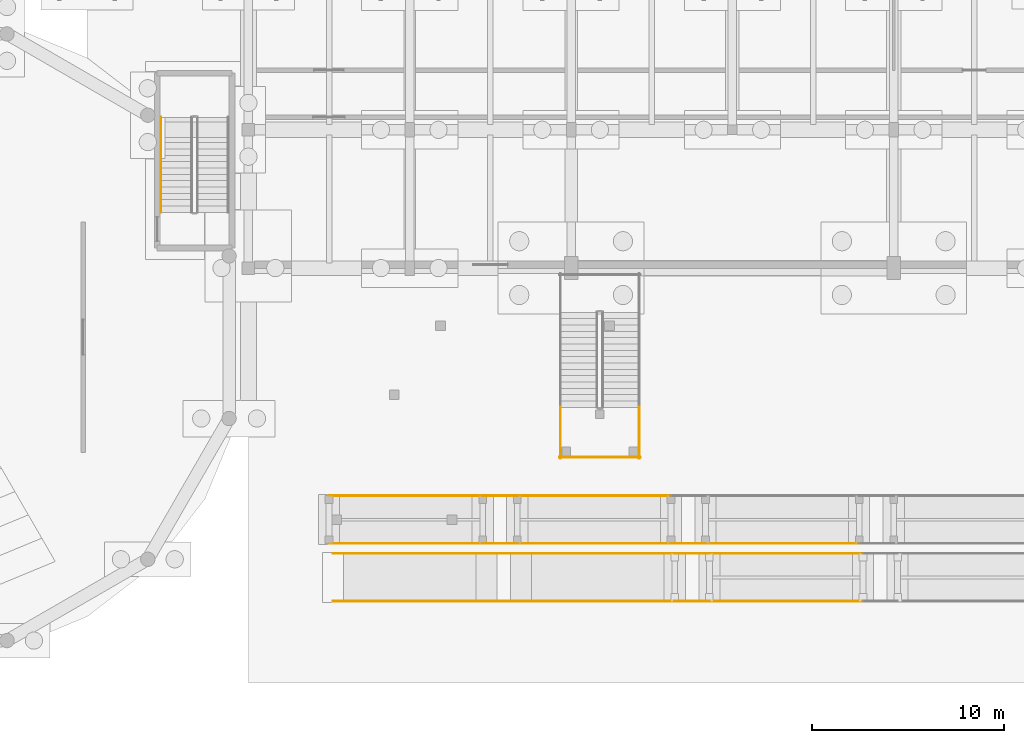
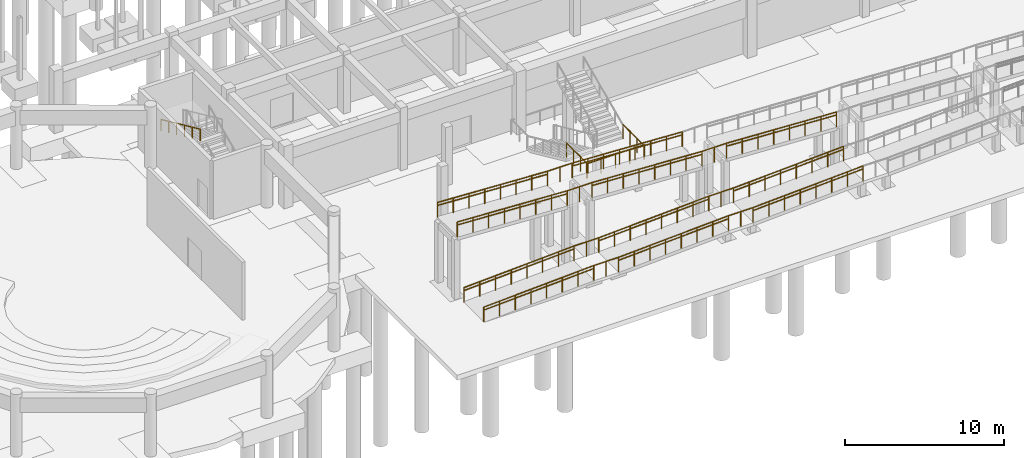
# One storey, part 67 of 80: 33 railings.
"""IFC4 building model written with IfcOpenShell, lengths in metres."""

from ifc_helpers import new_model, si_unit, direction, frame, origin, origin_2d, place, context, subcontext, project, spatial, circle, extrude, material, layer, layer_set, type_object, element, save


model = new_model("IFC4")

# Units and contexts
model_context = context("Model", 3, precision=1e-05, world=origin(), true_north=direction((0.0, 1.0)))
body_context = subcontext(model_context, "Body", "Model", "MODEL_VIEW")
ifc_project = project(units=[si_unit("LENGTHUNIT", "METRE"), si_unit("AREAUNIT", "SQUARE_METRE"), si_unit("VOLUMEUNIT", "CUBIC_METRE"), si_unit("PLANEANGLEUNIT", "RADIAN"), si_unit("MASSUNIT", "GRAM", prefix="KILO")], contexts=[model_context])

# Site, building, storey
site_placement = place(None, origin())
site = spatial("IfcSite", under=ifc_project, at=site_placement, CompositionType="ELEMENT")
building_placement = place(site_placement, origin())
building = spatial("IfcBuilding", under=site, at=building_placement, Name="Malvenik Polytechnic", CompositionType="ELEMENT")
storey_placement = place(building_placement, frame((0.0, 0.0, -4.800048828125)))
storey = spatial("IfcBuildingStorey", under=building, at=storey_placement, Name="B1", CompositionType="ELEMENT", Elevation=-4.800048828125)

# Railings
ifc_material_1 = material(Name="Galvanised powder-coated steel and laminated glass guard 1150mm", Category="steel")
ifc_layer_1 = layer(ifc_material_1, 0.070068359375)
ifc_layer_set_1 = layer_set([ifc_layer_1], Name="Galvanised powder-coated steel and laminated glass guard 1150mm")
railing_type_1 = type_object("IfcRailingType", Name="ARC-RL-BAL-1150", PredefinedType="BALUSTRADE", material=ifc_layer_set_1)
for number, where, name in (
    (1, (38.0, 4.260009765625, 0.0), "Ramp Balustrade RB-04 #1S"),
    (2, (38.0, 6.739990234375, 0.0), "Ramp Balustrade RB-04 #1N"),
):
    element("IfcRailing", number, at=place(storey_placement, frame(where)), inside=storey, type_object=railing_type_1, Name=name, PredefinedType="BALUSTRADE", context=body_context, shape_type="SweptSolid", body=[
        extrude(circle(Radius=0.02392578125, at=origin_2d()), frame((0.0, 0.0, 1.1259765625), z_axis=(0.998751426607, 0.0, 0.049955859015), x_axis=(0.0, 1.0, 0.0)), (0.0, 0.0, 1.0), 8.010009765625),
        extrude(circle(Radius=0.02099609375, at=origin_2d()), origin(), (0.0, 0.0, 1.0), 1.101806640625),
        extrude(circle(Radius=0.02099609375, at=origin_2d()), frame((1.142822265625, 0.0, 0.05712890625)), (0.0, 0.0, 1.0), 1.101806640625),
        extrude(circle(Radius=0.02099609375, at=origin_2d()), frame((2.28564453125, 0.0, 0.1142578125)), (0.0, 0.0, 1.0), 1.101806640625),
        extrude(circle(Radius=0.02099609375, at=origin_2d()), frame((3.428466796875, 0.0, 0.17138671875)), (0.0, 0.0, 1.0), 1.101806640625),
        extrude(circle(Radius=0.02099609375, at=origin_2d()), frame((4.571533203125, 0.0, 0.228759765625)), (0.0, 0.0, 1.0), 1.101806640625),
        extrude(circle(Radius=0.02099609375, at=origin_2d()), frame((5.71435546875, 0.0, 0.285888671875)), (0.0, 0.0, 1.0), 1.101806640625),
        extrude(circle(Radius=0.02099609375, at=origin_2d()), frame((6.857177734375, 0.0, 0.343017578125)), (0.0, 0.0, 1.0), 1.101806640625),
        extrude(circle(Radius=0.02099609375, at=origin_2d()), frame((8.0, 0.0, 0.400146484375)), (0.0, 0.0, 1.0), 1.101806640625),
    ])
for number, where, name in (
    (3, (46.0, 4.260009765625, 0.400146484375), "Ramp Landing Balustrade RB-04 #1S"),
    (4, (46.0, 6.739990234375, 0.400146484375), "Ramp Landing Balustrade RB-04 #1N"),
):
    element("IfcRailing", number, at=place(storey_placement, frame(where)), inside=storey, type_object=railing_type_1, Name=name, PredefinedType="BALUSTRADE", context=body_context, shape_type="SweptSolid", body=[
        extrude(circle(Radius=0.02392578125, at=origin_2d()), frame((0.0, 0.0, 1.1259765625), z_axis=(1.0, 0.0, 0.0), x_axis=(0.0, 1.0, 0.0)), (0.0, 0.0, 1.0), 1.800048828125),
        extrude(circle(Radius=0.02099609375, at=origin_2d()), origin(), (0.0, 0.0, 1.0), 1.101806640625),
        extrude(circle(Radius=0.02099609375, at=origin_2d()), frame((0.89990234375, 0.0, 0.0)), (0.0, 0.0, 1.0), 1.101806640625),
        extrude(circle(Radius=0.02099609375, at=origin_2d()), frame((1.800048828125, 0.0, 0.0)), (0.0, 0.0, 1.0), 1.101806640625),
    ])
for number, where, name in (
    (5, (47.800048828125, 4.260009765625, 0.400146484375), "Ramp Balustrade RB-04 #2S"),
    (6, (47.800048828125, 6.739990234375, 0.400146484375), "Ramp Balustrade RB-04 #2N"),
):
    element("IfcRailing", number, at=place(storey_placement, frame(where)), inside=storey, type_object=railing_type_1, Name=name, PredefinedType="BALUSTRADE", context=body_context, shape_type="SweptSolid", body=[
        extrude(circle(Radius=0.02392578125, at=origin_2d()), frame((0.0, 0.0, 1.1259765625), z_axis=(0.998752946874, 0.0, 0.049925455535), x_axis=(0.0, 1.0, 0.0)), (0.0, 0.0, 1.0), 8.010009765625),
        extrude(circle(Radius=0.02099609375, at=origin_2d()), origin(), (0.0, 0.0, 1.0), 1.101806640625),
        extrude(circle(Radius=0.02099609375, at=origin_2d()), frame((1.142822265625, 0.0, 0.05712890625)), (0.0, 0.0, 1.0), 1.101806640625),
        extrude(circle(Radius=0.02099609375, at=origin_2d()), frame((2.28564453125, 0.0, 0.1142578125)), (0.0, 0.0, 1.0), 1.101806640625),
        extrude(circle(Radius=0.02099609375, at=origin_2d()), frame((3.428466796875, 0.0, 0.17138671875)), (0.0, 0.0, 1.0), 1.101806640625),
        extrude(circle(Radius=0.02099609375, at=origin_2d()), frame((4.571533203125, 0.0, 0.228515625)), (0.0, 0.0, 1.0), 1.101806640625),
        extrude(circle(Radius=0.02099609375, at=origin_2d()), frame((5.71435546875, 0.0, 0.28564453125)), (0.0, 0.0, 1.0), 1.101806640625),
        extrude(circle(Radius=0.02099609375, at=origin_2d()), frame((6.857177734375, 0.0, 0.3427734375)), (0.0, 0.0, 1.0), 1.101806640625),
        extrude(circle(Radius=0.02099609375, at=origin_2d()), frame((8.0, 0.0, 0.39990234375)), (0.0, 0.0, 1.0), 1.101806640625),
    ])
for number, where, name in (
    (7, (55.800048828125, 4.260009765625, 0.800048828125), "Ramp Landing Balustrade RB-04 #2S"),
    (8, (55.800048828125, 6.739990234375, 0.800048828125), "Ramp Landing Balustrade RB-04 #2N"),
):
    element("IfcRailing", number, at=place(storey_placement, frame(where)), inside=storey, type_object=railing_type_1, Name=name, PredefinedType="BALUSTRADE", context=body_context, shape_type="SweptSolid", body=[
        extrude(circle(Radius=0.02392578125, at=origin_2d()), frame((0.0, 0.0, 1.1259765625), z_axis=(1.0, 0.0, 0.0), x_axis=(0.0, 1.0, 0.0)), (0.0, 0.0, 1.0), 1.800048828125),
        extrude(circle(Radius=0.02099609375, at=origin_2d()), origin(), (0.0, 0.0, 1.0), 1.101806640625),
        extrude(circle(Radius=0.02099609375, at=origin_2d()), frame((0.89990234375, 0.0, 0.0)), (0.0, 0.0, 1.0), 1.101806640625),
        extrude(circle(Radius=0.02099609375, at=origin_2d()), frame((1.800048828125, 0.0, 0.0)), (0.0, 0.0, 1.0), 1.101806640625),
    ])
for number, where, name in (
    (9, (57.60009765625, 4.260009765625, 0.800048828125), "Ramp Balustrade RB-04 #3S"),
    (10, (57.60009765625, 6.739990234375, 0.800048828125), "Ramp Balustrade RB-04 #3N"),
):
    element("IfcRailing", number, at=place(storey_placement, frame(where)), inside=storey, type_object=railing_type_1, Name=name, PredefinedType="BALUSTRADE", context=body_context, shape_type="SweptSolid", body=[
        extrude(circle(Radius=0.02392578125, at=origin_2d()), frame((0.0, 0.0, 1.1259765625), z_axis=(0.998752946874, 0.0, 0.049925455535), x_axis=(0.0, 1.0, 0.0)), (0.0, 0.0, 1.0), 8.010009765625),
        extrude(circle(Radius=0.02099609375, at=origin_2d()), origin(), (0.0, 0.0, 1.0), 1.101806640625),
        extrude(circle(Radius=0.02099609375, at=origin_2d()), frame((1.142822265625, 0.0, 0.05712890625)), (0.0, 0.0, 1.0), 1.101806640625),
        extrude(circle(Radius=0.02099609375, at=origin_2d()), frame((2.28564453125, 0.0, 0.1142578125)), (0.0, 0.0, 1.0), 1.101806640625),
        extrude(circle(Radius=0.02099609375, at=origin_2d()), frame((3.428466796875, 0.0, 0.17138671875)), (0.0, 0.0, 1.0), 1.101806640625),
        extrude(circle(Radius=0.02099609375, at=origin_2d()), frame((4.571533203125, 0.0, 0.228515625)), (0.0, 0.0, 1.0), 1.101806640625),
        extrude(circle(Radius=0.02099609375, at=origin_2d()), frame((5.71435546875, 0.0, 0.28564453125)), (0.0, 0.0, 1.0), 1.101806640625),
        extrude(circle(Radius=0.02099609375, at=origin_2d()), frame((6.857177734375, 0.0, 0.3427734375)), (0.0, 0.0, 1.0), 1.101806640625),
        extrude(circle(Radius=0.02099609375, at=origin_2d()), frame((8.0, 0.0, 0.39990234375)), (0.0, 0.0, 1.0), 1.101806640625),
    ])
railing_1_placement = place(storey_placement, frame((57.39990234375, 7.260009765625, 4.0)))
element("IfcRailing", 11, at=railing_1_placement, inside=storey, type_object=railing_type_1, Name="Ramp Balustrade RB-05 #4S", PredefinedType="BALUSTRADE", context=body_context, shape_type="SweptSolid", body=[
    extrude(circle(Radius=0.02392578125, at=origin_2d()), frame((0.0, 0.0, 1.1259765625), z_axis=(0.998752946874, 0.0, -0.049925455535), x_axis=(0.0, 1.0, 0.0)), (0.0, 0.0, 1.0), 8.010009765625),
    extrude(circle(Radius=0.02099609375, at=origin_2d()), origin(), (0.0, 0.0, 1.0), 1.101806640625),
    extrude(circle(Radius=0.02099609375, at=origin_2d()), frame((1.142822265625, 0.0, -0.05712890625)), (0.0, 0.0, 1.0), 1.101806640625),
    extrude(circle(Radius=0.02099609375, at=origin_2d()), frame((2.28564453125, 0.0, -0.1142578125)), (0.0, 0.0, 1.0), 1.101806640625),
    extrude(circle(Radius=0.02099609375, at=origin_2d()), frame((3.428466796875, 0.0, -0.17138671875)), (0.0, 0.0, 1.0), 1.101806640625),
    extrude(circle(Radius=0.02099609375, at=origin_2d()), frame((4.571533203125, 0.0, -0.228515625)), (0.0, 0.0, 1.0), 1.101806640625),
    extrude(circle(Radius=0.02099609375, at=origin_2d()), frame((5.71435546875, 0.0, -0.28564453125)), (0.0, 0.0, 1.0), 1.101806640625),
    extrude(circle(Radius=0.02099609375, at=origin_2d()), frame((6.857177734375, 0.0, -0.3427734375)), (0.0, 0.0, 1.0), 1.101806640625),
    extrude(circle(Radius=0.02099609375, at=origin_2d()), frame((8.0, 0.0, -0.39990234375)), (0.0, 0.0, 1.0), 1.101806640625),
])
railing_2_placement = place(storey_placement, frame((55.60009765625, 7.260009765625, 4.0)))
element("IfcRailing", 12, at=railing_2_placement, inside=storey, type_object=railing_type_1, Name="Ramp Landing Balustrade RB-05 #4S", PredefinedType="BALUSTRADE", context=body_context, shape_type="SweptSolid", body=[
    extrude(circle(Radius=0.02392578125, at=origin_2d()), frame((0.0, 0.0, 1.1259765625), z_axis=(1.0, 0.0, 0.0), x_axis=(0.0, 1.0, 0.0)), (0.0, 0.0, 1.0), 1.7998046875),
    extrude(circle(Radius=0.02099609375, at=origin_2d()), origin(), (0.0, 0.0, 1.0), 1.101806640625),
    extrude(circle(Radius=0.02099609375, at=origin_2d()), frame((0.89990234375, 0.0, 0.0)), (0.0, 0.0, 1.0), 1.101806640625),
    extrude(circle(Radius=0.02099609375, at=origin_2d()), frame((1.7998046875, 0.0, 0.0)), (0.0, 0.0, 1.0), 1.101806640625),
])
for number, where, name in (
    (13, (47.60009765625, 7.260009765625, 4.400146484375), "Ramp Balustrade RB-05 #5S"),
    (14, (47.60009765625, 9.739990234375, 4.400146484375), "Ramp Balustrade RB-05 #5N"),
):
    element("IfcRailing", number, at=place(storey_placement, frame(where)), inside=storey, type_object=railing_type_1, Name=name, PredefinedType="BALUSTRADE", context=body_context, shape_type="SweptSolid", body=[
        extrude(circle(Radius=0.02392578125, at=origin_2d()), frame((0.0, 0.0, 1.1259765625), z_axis=(0.998751426607, 0.0, -0.049955859015), x_axis=(0.0, 1.0, 0.0)), (0.0, 0.0, 1.0), 8.010009765625),
        extrude(circle(Radius=0.02099609375, at=origin_2d()), origin(), (0.0, 0.0, 1.0), 1.101806640625),
        extrude(circle(Radius=0.02099609375, at=origin_2d()), frame((1.142822265625, 0.0, -0.05712890625)), (0.0, 0.0, 1.0), 1.101806640625),
        extrude(circle(Radius=0.02099609375, at=origin_2d()), frame((2.28564453125, 0.0, -0.1142578125)), (0.0, 0.0, 1.0), 1.101806640625),
        extrude(circle(Radius=0.02099609375, at=origin_2d()), frame((3.428466796875, 0.0, -0.17138671875)), (0.0, 0.0, 1.0), 1.101806640625),
        extrude(circle(Radius=0.02099609375, at=origin_2d()), frame((4.571533203125, 0.0, -0.228759765625)), (0.0, 0.0, 1.0), 1.101806640625),
        extrude(circle(Radius=0.02099609375, at=origin_2d()), frame((5.71435546875, 0.0, -0.285888671875)), (0.0, 0.0, 1.0), 1.101806640625),
        extrude(circle(Radius=0.02099609375, at=origin_2d()), frame((6.857177734375, 0.0, -0.343017578125)), (0.0, 0.0, 1.0), 1.101806640625),
        extrude(circle(Radius=0.02099609375, at=origin_2d()), frame((8.0, 0.0, -0.400146484375)), (0.0, 0.0, 1.0), 1.101806640625),
    ])
for number, where, name in (
    (15, (45.800048828125, 7.260009765625, 4.400146484375), "Ramp Landing Balustrade RB-05 #5S"),
    (16, (45.800048828125, 9.739990234375, 4.400146484375), "Ramp Landing Balustrade RB-05 #5N"),
):
    element("IfcRailing", number, at=place(storey_placement, frame(where)), inside=storey, type_object=railing_type_1, Name=name, PredefinedType="BALUSTRADE", context=body_context, shape_type="SweptSolid", body=[
        extrude(circle(Radius=0.02392578125, at=origin_2d()), frame((0.0, 0.0, 1.1259765625), z_axis=(1.0, 0.0, 0.0), x_axis=(0.0, 1.0, 0.0)), (0.0, 0.0, 1.0), 1.800048828125),
        extrude(circle(Radius=0.02099609375, at=origin_2d()), origin(), (0.0, 0.0, 1.0), 1.101806640625),
        extrude(circle(Radius=0.02099609375, at=origin_2d()), frame((0.89990234375, 0.0, 0.0)), (0.0, 0.0, 1.0), 1.101806640625),
        extrude(circle(Radius=0.02099609375, at=origin_2d()), frame((1.800048828125, 0.0, 0.0)), (0.0, 0.0, 1.0), 1.101806640625),
    ])
for number, where, name in (
    (17, (37.800048828125, 7.260009765625, 4.800048828125), "Ramp Balustrade RB-05 #6S"),
    (18, (37.800048828125, 9.739990234375, 4.800048828125), "Ramp Balustrade RB-05 #6N"),
):
    element("IfcRailing", number, at=place(storey_placement, frame(where)), inside=storey, type_object=railing_type_1, Name=name, PredefinedType="BALUSTRADE", context=body_context, shape_type="SweptSolid", body=[
        extrude(circle(Radius=0.02392578125, at=origin_2d()), frame((0.0, 0.0, 1.1259765625), z_axis=(0.998752946874, 0.0, -0.049925455535), x_axis=(0.0, 1.0, 0.0)), (0.0, 0.0, 1.0), 8.010009765625),
        extrude(circle(Radius=0.02099609375, at=origin_2d()), origin(), (0.0, 0.0, 1.0), 1.101806640625),
        extrude(circle(Radius=0.02099609375, at=origin_2d()), frame((1.142822265625, 0.0, -0.05712890625)), (0.0, 0.0, 1.0), 1.101806640625),
        extrude(circle(Radius=0.02099609375, at=origin_2d()), frame((2.28564453125, 0.0, -0.1142578125)), (0.0, 0.0, 1.0), 1.101806640625),
        extrude(circle(Radius=0.02099609375, at=origin_2d()), frame((3.428466796875, 0.0, -0.17138671875)), (0.0, 0.0, 1.0), 1.101806640625),
        extrude(circle(Radius=0.02099609375, at=origin_2d()), frame((4.571533203125, 0.0, -0.228515625)), (0.0, 0.0, 1.0), 1.101806640625),
        extrude(circle(Radius=0.02099609375, at=origin_2d()), frame((5.71435546875, 0.0, -0.28564453125)), (0.0, 0.0, 1.0), 1.101806640625),
        extrude(circle(Radius=0.02099609375, at=origin_2d()), frame((6.857177734375, 0.0, -0.3427734375)), (0.0, 0.0, 1.0), 1.101806640625),
        extrude(circle(Radius=0.02099609375, at=origin_2d()), frame((8.0, 0.0, -0.39990234375)), (0.0, 0.0, 1.0), 1.101806640625),
    ])
ifc_material_2 = material(Name="Brushed stainless steel 1.4301 tubular handrail 50mm", Category="steel")
ifc_layer_2 = layer(ifc_material_2, 0.050048828125)
ifc_layer_set_2 = layer_set([ifc_layer_2], Name="Brushed stainless steel 1.4301 tubular handrail 50mm")
railing_type_2 = type_object("IfcRailingType", Name="ARC-RL-HR-920", PredefinedType="HANDRAIL", material=ifc_layer_set_2)
for number, where, name in (
    (19, (38.0, 4.260009765625, 0.0), "Ramp Handrail RB-04 #1S"),
    (20, (38.0, 6.739990234375, 0.0), "Ramp Handrail RB-04 #1N"),
):
    element("IfcRailing", number, at=place(storey_placement, frame(where)), inside=storey, type_object=railing_type_2, Name=name, PredefinedType="HANDRAIL", context=body_context, shape_type="SweptSolid", body=[
        extrude(circle(Radius=0.02392578125, at=origin_2d()), frame((0.0, 0.0, 0.89599609375), z_axis=(0.998751426607, 0.0, 0.049955859015), x_axis=(0.0, 1.0, 0.0)), (0.0, 0.0, 1.0), 8.010009765625),
        extrude(circle(Radius=0.02099609375, at=origin_2d()), origin(), (0.0, 0.0, 1.0), 0.871826171875),
        extrude(circle(Radius=0.02099609375, at=origin_2d()), frame((1.142822265625, 0.0, 0.05712890625)), (0.0, 0.0, 1.0), 0.871826171875),
        extrude(circle(Radius=0.02099609375, at=origin_2d()), frame((2.28564453125, 0.0, 0.1142578125)), (0.0, 0.0, 1.0), 0.871826171875),
        extrude(circle(Radius=0.02099609375, at=origin_2d()), frame((3.428466796875, 0.0, 0.17138671875)), (0.0, 0.0, 1.0), 0.871826171875),
        extrude(circle(Radius=0.02099609375, at=origin_2d()), frame((4.571533203125, 0.0, 0.228759765625)), (0.0, 0.0, 1.0), 0.871826171875),
        extrude(circle(Radius=0.02099609375, at=origin_2d()), frame((5.71435546875, 0.0, 0.285888671875)), (0.0, 0.0, 1.0), 0.871826171875),
        extrude(circle(Radius=0.02099609375, at=origin_2d()), frame((6.857177734375, 0.0, 0.343017578125)), (0.0, 0.0, 1.0), 0.871826171875),
        extrude(circle(Radius=0.02099609375, at=origin_2d()), frame((8.0, 0.0, 0.400146484375)), (0.0, 0.0, 1.0), 0.871826171875),
    ])
for number, where, name in (
    (21, (47.800048828125, 4.260009765625, 0.400146484375), "Ramp Handrail RB-04 #2S"),
    (22, (47.800048828125, 6.739990234375, 0.400146484375), "Ramp Handrail RB-04 #2N"),
    (23, (57.60009765625, 4.260009765625, 0.800048828125), "Ramp Handrail RB-04 #3S"),
    (24, (57.60009765625, 6.739990234375, 0.800048828125), "Ramp Handrail RB-04 #3N"),
):
    element("IfcRailing", number, at=place(storey_placement, frame(where)), inside=storey, type_object=railing_type_2, Name=name, PredefinedType="HANDRAIL", context=body_context, shape_type="SweptSolid", body=[
        extrude(circle(Radius=0.02392578125, at=origin_2d()), frame((0.0, 0.0, 0.89599609375), z_axis=(0.998752946874, 0.0, 0.049925455535), x_axis=(0.0, 1.0, 0.0)), (0.0, 0.0, 1.0), 8.010009765625),
        extrude(circle(Radius=0.02099609375, at=origin_2d()), origin(), (0.0, 0.0, 1.0), 0.871826171875),
        extrude(circle(Radius=0.02099609375, at=origin_2d()), frame((1.142822265625, 0.0, 0.05712890625)), (0.0, 0.0, 1.0), 0.871826171875),
        extrude(circle(Radius=0.02099609375, at=origin_2d()), frame((2.28564453125, 0.0, 0.1142578125)), (0.0, 0.0, 1.0), 0.871826171875),
        extrude(circle(Radius=0.02099609375, at=origin_2d()), frame((3.428466796875, 0.0, 0.17138671875)), (0.0, 0.0, 1.0), 0.871826171875),
        extrude(circle(Radius=0.02099609375, at=origin_2d()), frame((4.571533203125, 0.0, 0.228515625)), (0.0, 0.0, 1.0), 0.871826171875),
        extrude(circle(Radius=0.02099609375, at=origin_2d()), frame((5.71435546875, 0.0, 0.28564453125)), (0.0, 0.0, 1.0), 0.871826171875),
        extrude(circle(Radius=0.02099609375, at=origin_2d()), frame((6.857177734375, 0.0, 0.3427734375)), (0.0, 0.0, 1.0), 0.871826171875),
        extrude(circle(Radius=0.02099609375, at=origin_2d()), frame((8.0, 0.0, 0.39990234375)), (0.0, 0.0, 1.0), 0.871826171875),
    ])
railing_3_placement = place(storey_placement, frame((57.39990234375, 7.260009765625, 4.0)))
element("IfcRailing", 25, at=railing_3_placement, inside=storey, type_object=railing_type_2, Name="Ramp Handrail RB-05 #4S", PredefinedType="HANDRAIL", context=body_context, shape_type="SweptSolid", body=[
    extrude(circle(Radius=0.02392578125, at=origin_2d()), frame((0.0, 0.0, 0.89599609375), z_axis=(0.998752946874, 0.0, -0.049925455535), x_axis=(0.0, 1.0, 0.0)), (0.0, 0.0, 1.0), 8.010009765625),
    extrude(circle(Radius=0.02099609375, at=origin_2d()), origin(), (0.0, 0.0, 1.0), 0.871826171875),
    extrude(circle(Radius=0.02099609375, at=origin_2d()), frame((1.142822265625, 0.0, -0.05712890625)), (0.0, 0.0, 1.0), 0.871826171875),
    extrude(circle(Radius=0.02099609375, at=origin_2d()), frame((2.28564453125, 0.0, -0.1142578125)), (0.0, 0.0, 1.0), 0.871826171875),
    extrude(circle(Radius=0.02099609375, at=origin_2d()), frame((3.428466796875, 0.0, -0.17138671875)), (0.0, 0.0, 1.0), 0.871826171875),
    extrude(circle(Radius=0.02099609375, at=origin_2d()), frame((4.571533203125, 0.0, -0.228515625)), (0.0, 0.0, 1.0), 0.871826171875),
    extrude(circle(Radius=0.02099609375, at=origin_2d()), frame((5.71435546875, 0.0, -0.28564453125)), (0.0, 0.0, 1.0), 0.871826171875),
    extrude(circle(Radius=0.02099609375, at=origin_2d()), frame((6.857177734375, 0.0, -0.3427734375)), (0.0, 0.0, 1.0), 0.871826171875),
    extrude(circle(Radius=0.02099609375, at=origin_2d()), frame((8.0, 0.0, -0.39990234375)), (0.0, 0.0, 1.0), 0.871826171875),
])
for number, where, name in (
    (26, (47.60009765625, 7.260009765625, 4.400146484375), "Ramp Handrail RB-05 #5S"),
    (27, (47.60009765625, 9.739990234375, 4.400146484375), "Ramp Handrail RB-05 #5N"),
):
    element("IfcRailing", number, at=place(storey_placement, frame(where)), inside=storey, type_object=railing_type_2, Name=name, PredefinedType="HANDRAIL", context=body_context, shape_type="SweptSolid", body=[
        extrude(circle(Radius=0.02392578125, at=origin_2d()), frame((0.0, 0.0, 0.89599609375), z_axis=(0.998751426607, 0.0, -0.049955859015), x_axis=(0.0, 1.0, 0.0)), (0.0, 0.0, 1.0), 8.010009765625),
        extrude(circle(Radius=0.02099609375, at=origin_2d()), origin(), (0.0, 0.0, 1.0), 0.871826171875),
        extrude(circle(Radius=0.02099609375, at=origin_2d()), frame((1.142822265625, 0.0, -0.05712890625)), (0.0, 0.0, 1.0), 0.871826171875),
        extrude(circle(Radius=0.02099609375, at=origin_2d()), frame((2.28564453125, 0.0, -0.1142578125)), (0.0, 0.0, 1.0), 0.871826171875),
        extrude(circle(Radius=0.02099609375, at=origin_2d()), frame((3.428466796875, 0.0, -0.17138671875)), (0.0, 0.0, 1.0), 0.871826171875),
        extrude(circle(Radius=0.02099609375, at=origin_2d()), frame((4.571533203125, 0.0, -0.228759765625)), (0.0, 0.0, 1.0), 0.871826171875),
        extrude(circle(Radius=0.02099609375, at=origin_2d()), frame((5.71435546875, 0.0, -0.285888671875)), (0.0, 0.0, 1.0), 0.871826171875),
        extrude(circle(Radius=0.02099609375, at=origin_2d()), frame((6.857177734375, 0.0, -0.343017578125)), (0.0, 0.0, 1.0), 0.871826171875),
        extrude(circle(Radius=0.02099609375, at=origin_2d()), frame((8.0, 0.0, -0.400146484375)), (0.0, 0.0, 1.0), 0.871826171875),
    ])
for number, where, name in (
    (28, (37.800048828125, 7.260009765625, 4.800048828125), "Ramp Handrail RB-05 #6S"),
    (29, (37.800048828125, 9.739990234375, 4.800048828125), "Ramp Handrail RB-05 #6N"),
):
    element("IfcRailing", number, at=place(storey_placement, frame(where)), inside=storey, type_object=railing_type_2, Name=name, PredefinedType="HANDRAIL", context=body_context, shape_type="SweptSolid", body=[
        extrude(circle(Radius=0.02392578125, at=origin_2d()), frame((0.0, 0.0, 0.89599609375), z_axis=(0.998752946874, 0.0, -0.049925455535), x_axis=(0.0, 1.0, 0.0)), (0.0, 0.0, 1.0), 8.010009765625),
        extrude(circle(Radius=0.02099609375, at=origin_2d()), origin(), (0.0, 0.0, 1.0), 0.871826171875),
        extrude(circle(Radius=0.02099609375, at=origin_2d()), frame((1.142822265625, 0.0, -0.05712890625)), (0.0, 0.0, 1.0), 0.871826171875),
        extrude(circle(Radius=0.02099609375, at=origin_2d()), frame((2.28564453125, 0.0, -0.1142578125)), (0.0, 0.0, 1.0), 0.871826171875),
        extrude(circle(Radius=0.02099609375, at=origin_2d()), frame((3.428466796875, 0.0, -0.17138671875)), (0.0, 0.0, 1.0), 0.871826171875),
        extrude(circle(Radius=0.02099609375, at=origin_2d()), frame((4.571533203125, 0.0, -0.228515625)), (0.0, 0.0, 1.0), 0.871826171875),
        extrude(circle(Radius=0.02099609375, at=origin_2d()), frame((5.71435546875, 0.0, -0.28564453125)), (0.0, 0.0, 1.0), 0.871826171875),
        extrude(circle(Radius=0.02099609375, at=origin_2d()), frame((6.857177734375, 0.0, -0.3427734375)), (0.0, 0.0, 1.0), 0.871826171875),
        extrude(circle(Radius=0.02099609375, at=origin_2d()), frame((8.0, 0.0, -0.39990234375)), (0.0, 0.0, 1.0), 0.871826171875),
    ])
ifc_material_3 = material(Name="Painted galvanised steel stair well balustrade 1100mm", Category="steel")
ifc_layer_3 = layer(ifc_material_3, 0.050048828125)
ifc_layer_set_3 = layer_set([ifc_layer_3], Name="Painted galvanised steel stair well balustrade 1100mm")
railing_type_3 = type_object("IfcRailingType", Name="ARC-RL-STGD", PredefinedType="BALUSTRADE", material=ifc_layer_set_3)
for number, where, name in (
    (30, (49.85009765625, 14.35009765625, 2.400146484375), "B1 ST-10 stair guard 3"),
    (31, (53.949951171875, 14.35009765625, 2.400146484375), "B1 ST-10 stair guard 4"),
):
    element("IfcRailing", number, at=place(storey_placement, frame(where)), inside=storey, type_object=railing_type_3, Name=name, PredefinedType="BALUSTRADE", context=body_context, shape_type="SweptSolid", body=[
        extrude(circle(Radius=0.02392578125, at=origin_2d()), frame((0.0, 0.0, 1.076171875), z_axis=(0.0, -1.0, 0.0), x_axis=(1.0, 0.0, 0.0)), (0.0, 0.0, 1.0), 2.650146484375),
        extrude(circle(Radius=0.02099609375, at=origin_2d()), origin(), (0.0, 0.0, 1.0), 1.052001953125),
        extrude(circle(Radius=0.02099609375, at=origin_2d()), frame((0.0, -0.88330078125, 0.0)), (0.0, 0.0, 1.0), 1.052001953125),
        extrude(circle(Radius=0.02099609375, at=origin_2d()), frame((0.0, -1.766845703125, 0.0)), (0.0, 0.0, 1.0), 1.052001953125),
        extrude(circle(Radius=0.02099609375, at=origin_2d()), frame((0.0, -2.650146484375, 0.0)), (0.0, 0.0, 1.0), 1.052001953125),
    ])
railing_4_placement = place(storey_placement, frame((49.800048828125, 11.75, 2.400146484375)))
element("IfcRailing", 32, at=railing_4_placement, inside=storey, type_object=railing_type_3, Name="B1 ST-10 stair guard 5", PredefinedType="BALUSTRADE", context=body_context, shape_type="SweptSolid", body=[
    extrude(circle(Radius=0.02392578125, at=origin_2d()), frame((0.0, 0.0, 1.076171875), z_axis=(1.0, 0.0, 0.0), x_axis=(0.0, 1.0, 0.0)), (0.0, 0.0, 1.0), 4.199951171875),
    extrude(circle(Radius=0.02099609375, at=origin_2d()), origin(), (0.0, 0.0, 1.0), 1.052001953125),
    extrude(circle(Radius=0.02099609375, at=origin_2d()), frame((1.050048828125, 0.0, 0.0)), (0.0, 0.0, 1.0), 1.052001953125),
    extrude(circle(Radius=0.02099609375, at=origin_2d()), frame((2.10009765625, 0.0, 0.0)), (0.0, 0.0, 1.0), 1.052001953125),
    extrude(circle(Radius=0.02099609375, at=origin_2d()), frame((3.14990234375, 0.0, 0.0)), (0.0, 0.0, 1.0), 1.052001953125),
    extrude(circle(Radius=0.02099609375, at=origin_2d()), frame((4.199951171875, 0.0, 0.0)), (0.0, 0.0, 1.0), 1.052001953125),
])
ifc_material_4 = material(Name="Brushed stainless steel 1.4301 stair wall handrail", Category="steel")
ifc_layer_4 = layer(ifc_material_4, 0.044921875)
ifc_layer_set_4 = layer_set([ifc_layer_4], Name="Brushed stainless steel 1.4301 stair wall handrail")
railing_type_4 = type_object("IfcRailingType", Name="ARC-RL-STHR", PredefinedType="HANDRAIL", material=ifc_layer_set_4)
railing_5_placement = place(storey_placement, frame((29.050048828125, 29.449951171875, 2.550048828125)))
element("IfcRailing", 33, at=railing_5_placement, inside=storey, type_object=railing_type_4, Name="B1 ST-09 stair handrail 2", PredefinedType="HANDRAIL", context=body_context, shape_type="SweptSolid", body=[
    extrude(circle(Radius=0.02392578125, at=origin_2d()), frame((0.0, 0.0, 0.8759765625), z_axis=(0.0, -0.910364939756, 0.41380632724), x_axis=(1.0, 0.0, 0.0)), (0.0, 0.0, 1.0), 5.437255859375),
    extrude(circle(Radius=0.02099609375, at=origin_2d()), origin(), (0.0, 0.0, 1.0), 0.851806640625),
    extrude(circle(Radius=0.02099609375, at=origin_2d()), frame((0.0, -0.989990234375, 0.449951171875)), (0.0, 0.0, 1.0), 0.851806640625),
    extrude(circle(Radius=0.02099609375, at=origin_2d()), frame((0.0, -1.97998046875, 0.89990234375)), (0.0, 0.0, 1.0), 0.851806640625),
    extrude(circle(Radius=0.02099609375, at=origin_2d()), frame((0.0, -2.969970703125, 1.35009765625)), (0.0, 0.0, 1.0), 0.851806640625),
    extrude(circle(Radius=0.02099609375, at=origin_2d()), frame((0.0, -3.9599609375, 1.800048828125)), (0.0, 0.0, 1.0), 0.851806640625),
    extrude(circle(Radius=0.02099609375, at=origin_2d()), frame((0.0, -4.949951171875, 2.25)), (0.0, 0.0, 1.0), 0.851806640625),
])

save(model, "model.ifc")
